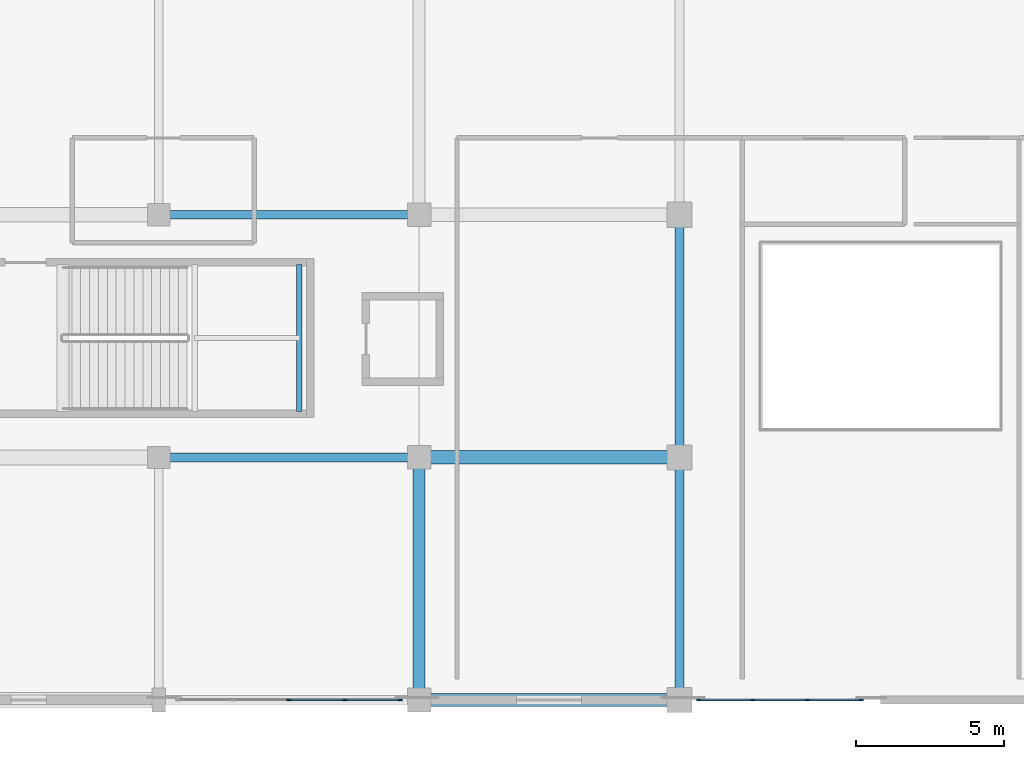
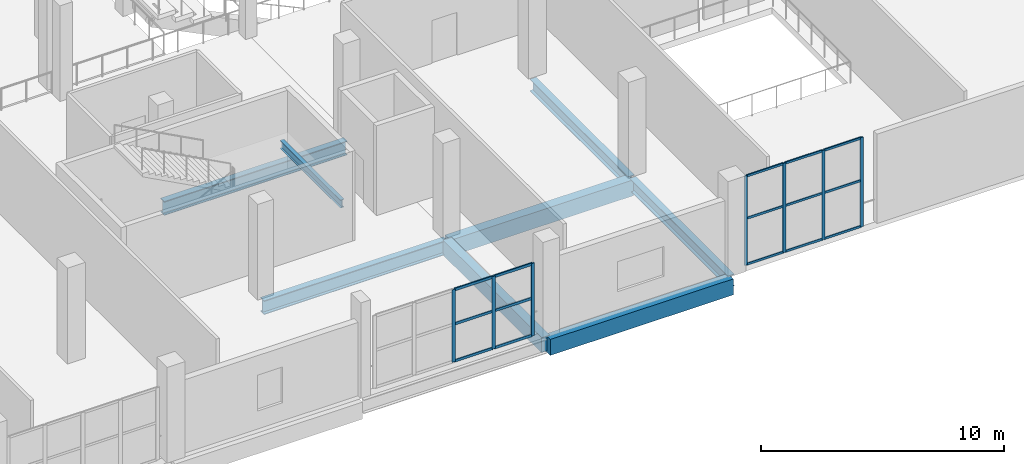
# One storey, part 22 of 129: 22 members, 8 beams, 2 elements without a shape of their own.
"""IFC4 building model written with IfcOpenShell, lengths in metres."""

import ifcopenshell
import ifcopenshell.guid

model = None  # the IFC model being written
_history = None  # IfcOwnerHistory: only IFC2X3 demands one
_inside = {}  # id of a spatial element -> (the spatial element, [elements in it])
_under = {}  # id of a project, library or spatial element -> (it, [spatial elements below it])
_declared = {}  # id of a project -> (the project, [libraries it declares])
_typed = {}  # id of a type object -> (the type object, [elements of that type])
_made_of = {}  # id of a material, layer set ... -> (it, [elements and type objects made of it])


def new_model(schema):
    """Start an empty IFC model of exactly this schema.

    Asked for "IFC4X3", IfcOpenShell would pick the latest addendum, in which some entities
    have other attributes; the version numbers below select the first issue.
    IFC2X3 requires an IfcOwnerHistory on every rooted entity: one is made here for all.
    """
    global model, _history
    if schema == "IFC4X3":
        model = ifcopenshell.file(schema_version=(4, 3, 0, 0))
    else:
        model = ifcopenshell.file(schema=schema)
    _inside.clear()
    _under.clear()
    _declared.clear()
    _typed.clear()
    _made_of.clear()
    _history = None
    if model.schema == "IFC2X3":
        org = make("IfcOrganization", Name="unknown")
        user = make(
            "IfcPersonAndOrganization",
            ThePerson=make("IfcPerson", FamilyName="unknown"),
            TheOrganization=org,
        )
        app = make(
            "IfcApplication",
            ApplicationDeveloper=org,
            Version="unknown",
            ApplicationFullName="unknown",
            ApplicationIdentifier="unknown",
        )
        _history = make(
            "IfcOwnerHistory",
            OwningUser=user,
            OwningApplication=app,
            ChangeAction="ADDED",
            CreationDate=0,
        )
    return model


def make(cls, **values):
    """One entity of the class cls with the attributes given. An attribute that is None is left unset."""
    return model.create_entity(
        cls, **{name: value for name, value in values.items() if value is not None}
    )


def rooted(cls, **values):
    """An entity with a GlobalId (a new one), such as an element, a storey or a relation."""
    return make(cls, GlobalId=ifcopenshell.guid.new(), OwnerHistory=_history, **values)


def si_unit(unit_type, name, prefix=None):
    """IfcSIUnit, for example si_unit("LENGTHUNIT", "METRE", prefix="MILLI")."""
    return make("IfcSIUnit", UnitType=unit_type, Prefix=prefix, Name=name)


def assignment(units):
    """IfcUnitAssignment: the units of a project."""
    return None if units is None else make("IfcUnitAssignment", Units=units)


def point(xyz):
    """IfcCartesianPoint."""
    return None if xyz is None else make("IfcCartesianPoint", Coordinates=xyz)


def direction(xyz):
    """IfcDirection."""
    return None if xyz is None else make("IfcDirection", DirectionRatios=xyz)


def frame(location, z_axis=None, x_axis=None):
    """IfcAxis2Placement3D, a coordinate frame: its origin and axes. An axis left out is left unset."""
    return make(
        "IfcAxis2Placement3D",
        Location=point(location),
        Axis=direction(z_axis),
        RefDirection=direction(x_axis),
    )


def frame_2d(location, x_axis=None):
    """IfcAxis2Placement2D, a coordinate frame in the plane: its origin and x axis."""
    return make(
        "IfcAxis2Placement2D", Location=point(location), RefDirection=direction(x_axis)
    )


def origin():
    """The frame at (0, 0, 0) with its axes left unset."""
    return frame((0.0, 0.0, 0.0))


def origin_2d():
    """The frame at (0, 0) in the plane with its x axis left unset."""
    return frame_2d((0.0, 0.0))


def place(relative_to, where):
    """IfcLocalPlacement: puts the frame where relative to a parent placement (None: the world)."""
    return make(
        "IfcLocalPlacement", PlacementRelTo=relative_to, RelativePlacement=where
    )


def context(
    kind, dimensions, precision=None, world=None, true_north=None, identifier=None
):
    """IfcGeometricRepresentationContext, for example the 3D "Model" context."""
    return make(
        "IfcGeometricRepresentationContext",
        ContextIdentifier=identifier,
        ContextType=kind,
        CoordinateSpaceDimension=dimensions,
        Precision=precision,
        WorldCoordinateSystem=world,
        TrueNorth=true_north,
    )


def subcontext(parent, identifier, kind, view, scale=None):
    """IfcGeometricRepresentationSubContext, for example "Body" below "Model"."""
    return make(
        "IfcGeometricRepresentationSubContext",
        ContextIdentifier=identifier,
        ContextType=kind,
        ParentContext=parent,
        TargetScale=scale,
        TargetView=view,
    )


def project(units=None, contexts=None):
    """IfcProject with its units and contexts."""
    return rooted(
        "IfcProject",
        Name="project",
        RepresentationContexts=contexts,
        UnitsInContext=assignment(units),
    )


def spatial(cls, under=None, at=None, **own):
    """A site, building, storey or space (cls), placed at a placement, below another one or the project."""
    s = rooted(cls, ObjectPlacement=at, **own)
    if under is not None:
        _under.setdefault(under.id(), (under, []))[1].append(s)
    return s


def profile(cls, at=None, kind="AREA", **sizes):
    """A parametric profile (cls). Its sizes go by their IFC names, for example OverallWidth=200.0."""
    return make(cls, ProfileType=kind, Position=at, **sizes)


def rectangle(**sizes):
    """IfcRectangleProfileDef."""
    return profile("IfcRectangleProfileDef", **sizes)


def i_section(**sizes):
    """IfcIShapeProfileDef."""
    return profile("IfcIShapeProfileDef", **sizes)


def extrude(swept, where, along, depth):
    """IfcExtrudedAreaSolid: the profile swept, set in the frame where, extruded along a direction by depth."""
    return make(
        "IfcExtrudedAreaSolid",
        SweptArea=swept,
        Position=where,
        ExtrudedDirection=direction(along),
        Depth=depth,
    )


def shape(context_of_items, identifier, shape_type, items):
    """IfcShapeRepresentation: the items that make up one representation, for example the "Body"."""
    return make(
        "IfcShapeRepresentation",
        ContextOfItems=context_of_items,
        RepresentationIdentifier=identifier,
        RepresentationType=shape_type,
        Items=items,
    )


def material(Name=None, Category=None):
    """IfcMaterial."""
    return make("IfcMaterial", Name=Name, Category=Category)


def material_profile(
    of_material, cross_section, Name=None, Category=None, Priority=None
):
    """IfcMaterialProfile: a cross section and its material."""
    return make(
        "IfcMaterialProfile",
        Name=Name,
        Material=of_material,
        Profile=cross_section,
        Priority=Priority,
        Category=Category,
    )


def profile_set(profiles, Name=None, composite=None):
    """IfcMaterialProfileSet."""
    return make(
        "IfcMaterialProfileSet",
        Name=Name,
        MaterialProfiles=profiles,
        CompositeProfile=composite,
    )


def made_of(thing, what):
    """Note that an element or type object is made of a material, layer set ...; save() writes the relation."""
    if what is not None:
        _made_of.setdefault(what.id(), (what, []))[1].append(thing)
    return thing


def type_object(cls, material=None, **own):
    """A type object (cls), such as IfcWallType, which elements share."""
    return made_of(rooted(cls, **own), material)


def element(
    cls,
    number,
    at=None,
    inside=None,
    cuts=None,
    type_object=None,
    material=None,
    context=None,
    identifier="Body",
    shape_type=None,
    held_by="IfcProductDefinitionShape",
    body=None,
    shapes=None,
    **own,
):
    """One element of the class cls, such as IfcWall. Its Tag is "e" and its number.

    at: its placement. inside: the storey or other place that contains it. cuts: it is an
    opening in that element (IfcRelVoidsElement). A single representation is given by context,
    identifier, shape_type and body (its items); several are given by shapes. held_by: the class
    of the entity that holds the representations. save() writes the other relations.
    """
    e = rooted(cls, Tag="e%d" % number, ObjectPlacement=at, **own)
    if body is not None:
        shapes = [shape(context, identifier, shape_type, body)]
    if shapes is not None:
        e.Representation = make(held_by, Representations=shapes)
    if inside is not None:
        _inside.setdefault(inside.id(), (inside, []))[1].append(e)
    if cuts is not None:
        rooted(
            "IfcRelVoidsElement", RelatingBuildingElement=cuts, RelatedOpeningElement=e
        )
    if type_object is not None:
        _typed.setdefault(type_object.id(), (type_object, []))[1].append(e)
    return made_of(e, material)


def aggregate(whole, parts):
    """IfcRelAggregates: a whole, such as a stair, and the parts it consists of."""
    return rooted("IfcRelAggregates", RelatingObject=whole, RelatedObjects=parts)


def save(model, path):
    """Write the relations noted so far, then the file.

    IfcRelAggregates (storeys below a building ...), IfcRelContainedInSpatialStructure (elements
    in a storey), IfcRelDefinesByType, IfcRelAssociatesMaterial and IfcRelDeclares: one each for
    every whole, place, type object, material and project.
    """
    for whole, parts in _under.values():
        aggregate(whole, parts)
    for where, things in _inside.values():
        rooted(
            "IfcRelContainedInSpatialStructure",
            RelatedElements=things,
            RelatingStructure=where,
        )
    for kind, things in _typed.values():
        rooted("IfcRelDefinesByType", RelatedObjects=things, RelatingType=kind)
    for what, things in _made_of.values():
        rooted("IfcRelAssociatesMaterial", RelatedObjects=things, RelatingMaterial=what)
    for by, libraries in _declared.values():
        rooted("IfcRelDeclares", RelatingContext=by, RelatedDefinitions=libraries)
    model.write(path)


model = new_model("IFC4")

# Units and contexts
model_context = context("Model", 3, precision=1e-05, world=origin(), true_north=direction((0.0, 1.0)))
body_context = subcontext(model_context, "Body", "Model", "MODEL_VIEW")
ifc_project = project(units=[si_unit("LENGTHUNIT", "METRE"), si_unit("AREAUNIT", "SQUARE_METRE"), si_unit("VOLUMEUNIT", "CUBIC_METRE"), si_unit("PLANEANGLEUNIT", "RADIAN"), si_unit("MASSUNIT", "GRAM", prefix="KILO")], contexts=[model_context])

# Site, building, storey
site_placement = place(None, origin())
site = spatial("IfcSite", under=ifc_project, at=site_placement, CompositionType="ELEMENT")
building_placement = place(site_placement, origin())
building = spatial("IfcBuilding", under=site, at=building_placement, Name="Koshinbarg Plaza Stadium", CompositionType="ELEMENT")
storey_placement = place(building_placement, frame((0.0, 0.0, 5.39990234375)))
storey = spatial("IfcBuildingStorey", under=building, at=storey_placement, Name="L01", CompositionType="ELEMENT", Elevation=5.39990234375)

# Beams
ifc_material_1 = material(Name="Concrete C40/50", Category="concrete")
ifc_material_profile_1 = material_profile(ifc_material_1, rectangle(XDim=0.39990234375, YDim=0.75, at=origin_2d()), Name="RC 400x750")
ifc_profile_set_1 = profile_set([ifc_material_profile_1], Name="Concrete C40/50")
beam_type_1 = type_object("IfcBeamType", Name="BM-RCG-03", PredefinedType="USERDEFINED", material=ifc_profile_set_1)
beam_1_placement = place(storey_placement, frame((72.39990234375, 0.06005859375, -0.69482421875), z_axis=(0.0, 1.0, 0.0), x_axis=(-1.0, 0.0, 0.0)))
element("IfcBeam", 1, at=beam_1_placement, inside=storey, type_object=beam_type_1, Name="L01 Y girder 10/A-B", ObjectType="GIRDER", PredefinedType="USERDEFINED", context=body_context, shape_type="SweptSolid", body=[
    extrude(rectangle(XDim=0.39990234375, YDim=0.75, at=origin_2d()), origin(), (0.0, 0.0, 1.0), 8.079833984375),
])
ifc_material_profile_2 = material_profile(ifc_material_1, rectangle(XDim=0.449951171875, YDim=0.800048828125, at=origin_2d()), Name="RC 450x800")
ifc_profile_set_2 = profile_set([ifc_material_profile_2], Name="Concrete C40/50")
beam_type_2 = type_object("IfcBeamType", Name="BM-RCG-04", PredefinedType="USERDEFINED", material=ifc_profile_set_2)
for number, where, z_axis, x_axis, name in (
    (2, (72.4599609375, 0.0, -0.719970703125), (1.0, 0.0, 0.0), (0.0, 1.0, 0.0), "L01 X girder A/10-11"),
    (3, (72.4599609375, 8.199951171875, -0.719970703125), (1.0, 0.0, 0.0), (0.0, 1.0, 0.0), "L01 X girder B/10-11"),
):
    element("IfcBeam", number, at=place(storey_placement, frame(where, z_axis=z_axis, x_axis=x_axis)), inside=storey, type_object=beam_type_2, Name=name, ObjectType="GIRDER", PredefinedType="USERDEFINED", context=body_context, shape_type="SweptSolid", body=[
        extrude(rectangle(XDim=0.449951171875, YDim=0.800048828125, at=origin_2d()), origin(), (0.0, 0.0, 1.0), 8.679931640625),
    ])
ifc_material_2 = material(Name="Steel S355", Category="steel")
ifc_material_profile_3 = material_profile(ifc_material_2, i_section(OverallWidth=0.179931640625, OverallDepth=0.39990234375, WebThickness=0.008544921875, FlangeThickness=0.013427734375, at=origin_2d()), Name="IPE 400")
ifc_profile_set_3 = profile_set([ifc_material_profile_3], Name="Steel S355")
beam_type_3 = type_object("IfcBeamType", Name="BM-SBM-01", PredefinedType="BEAM", material=ifc_profile_set_3)
beam_2_placement = place(storey_placement, frame((68.35009765625, 9.75, 1.880126953125), z_axis=(0.0, 1.0, 0.0), x_axis=(-1.0, 0.0, 0.0)))
element("IfcBeam", 4, at=beam_2_placement, inside=storey, type_object=beam_type_3, Name="L01 Protected Exit Stair C13 landing trimmer beam 2", PredefinedType="BEAM", context=body_context, shape_type="SweptSolid", body=[
    extrude(i_section(OverallWidth=0.179931640625, OverallDepth=0.39990234375, WebThickness=0.008544921875, FlangeThickness=0.013427734375, at=origin_2d()), origin(), (0.0, 0.0, 1.0), 4.969970703125),
])
ifc_material_profile_4 = material_profile(ifc_material_2, i_section(OverallWidth=0.300048828125, OverallDepth=0.60009765625, WebThickness=0.015380859375, FlangeThickness=0.030029296875, at=origin_2d()), Name="HEB 600")
ifc_profile_set_4 = profile_set([ifc_material_profile_4], Name="Steel S355")
beam_type_4 = type_object("IfcBeamType", Name="BM-SGIR-02", PredefinedType="USERDEFINED", material=ifc_profile_set_4)
beam_3_placement = place(storey_placement, frame((81.199951171875, 0.06005859375, -0.619873046875), z_axis=(0.0, 1.0, 0.0), x_axis=(-1.0, 0.0, 0.0)))
element("IfcBeam", 5, at=beam_3_placement, inside=storey, type_object=beam_type_4, Name="L01 Y girder 11/A-B", ObjectType="GIRDER", PredefinedType="USERDEFINED", context=body_context, shape_type="SweptSolid", body=[
    extrude(i_section(OverallWidth=0.300048828125, OverallDepth=0.60009765625, WebThickness=0.015380859375, FlangeThickness=0.030029296875, at=origin_2d()), origin(), (0.0, 0.0, 1.0), 8.079833984375),
])
beam_4_placement = place(storey_placement, frame((81.199951171875, 8.260009765625, -0.619873046875), z_axis=(0.0, 1.0, 0.0), x_axis=(-1.0, 0.0, 0.0)))
element("IfcBeam", 6, at=beam_4_placement, inside=storey, type_object=beam_type_4, Name="L01 Y girder 11/B-C", ObjectType="GIRDER", PredefinedType="USERDEFINED", context=body_context, shape_type="SweptSolid", body=[
    extrude(i_section(OverallWidth=0.300048828125, OverallDepth=0.60009765625, WebThickness=0.015380859375, FlangeThickness=0.030029296875, at=origin_2d()), origin(), (0.0, 0.0, 1.0), 8.080078125),
])
ifc_material_profile_5 = material_profile(ifc_material_2, i_section(OverallWidth=0.300048828125, OverallDepth=0.699951171875, WebThickness=0.01708984375, FlangeThickness=0.031982421875, at=origin_2d()), Name="HEB 700")
ifc_profile_set_5 = profile_set([ifc_material_profile_5], Name="Steel S355")
beam_type_5 = type_object("IfcBeamType", Name="BM-SGIR-03", PredefinedType="USERDEFINED", material=ifc_profile_set_5)
for number, where, z_axis, x_axis, name in (
    (7, (63.659912109375, 8.199951171875, -0.669921875), (1.0, 0.0, 0.0), (0.0, 1.0, 0.0), "L01 X girder B/9-10"),
    (8, (63.659912109375, 16.39990234375, -0.669921875), (1.0, 0.0, 0.0), (0.0, 1.0, 0.0), "L01 X girder C/9-10"),
):
    element("IfcBeam", number, at=place(storey_placement, frame(where, z_axis=z_axis, x_axis=x_axis)), inside=storey, type_object=beam_type_5, Name=name, ObjectType="GIRDER", PredefinedType="USERDEFINED", context=body_context, shape_type="SweptSolid", body=[
        extrude(i_section(OverallWidth=0.300048828125, OverallDepth=0.699951171875, WebThickness=0.01708984375, FlangeThickness=0.031982421875, at=origin_2d()), origin(), (0.0, 0.0, 1.0), 8.68017578125),
    ])

# Curtain wall, members
ifc_material_3 = material(Name="Thermally broken anodised aluminium and low-E double glazing", Category="aluminium")
curtain_wall_type_1 = type_object("IfcCurtainWallType", Name="CW-SYS-01", PredefinedType="NOTDEFINED", material=ifc_material_3)
curtain_wall_1_placement = place(storey_placement, origin())
curtain_wall_1 = element("IfcCurtainWall", 9, at=curtain_wall_1_placement, inside=storey, type_object=curtain_wall_type_1, Name="L01 unitised curtain wall CW-L01-032", PredefinedType="NOTDEFINED")
ifc_material_4 = material(Name="Anodised aluminium mullion", Category="aluminium")
ifc_material_profile_6 = material_profile(ifc_material_4, rectangle(XDim=0.06005859375, YDim=0.139892578125, at=origin_2d()), Name="ALU 60x140")
ifc_profile_set_6 = profile_set([ifc_material_profile_6], Name="Anodised aluminium mullion")
member_type_1 = type_object("IfcMemberType", Name="CW-MUL-01", PredefinedType="MULLION", material=ifc_profile_set_6)
member_1_placement = place(storey_placement, frame((87.35009765625, 0.0, 0.0), z_axis=(0.0, 0.0, 1.0), x_axis=(0.0, -1.0, 0.0)))
member_1 = element("IfcMember", 10, at=member_1_placement, type_object=member_type_1, Name="CW01 mullion 1", PredefinedType="MULLION", context=body_context, shape_type="SweptSolid", body=[
    extrude(rectangle(XDim=0.06005859375, YDim=0.139892578125, at=origin_2d()), origin(), (0.0, 0.0, 1.0), 4.47998046875),
])
member_2_placement = place(storey_placement, frame((85.526611328125, 0.0, 0.0), z_axis=(0.0, 0.0, 1.0), x_axis=(0.0, -1.0, 0.0)))
member_2 = element("IfcMember", 11, at=member_2_placement, type_object=member_type_1, Name="CW01 mullion 2", PredefinedType="MULLION", context=body_context, shape_type="SweptSolid", body=[
    extrude(rectangle(XDim=0.06005859375, YDim=0.139892578125, at=origin_2d()), origin(), (0.0, 0.0, 1.0), 4.47998046875),
])
member_3_placement = place(storey_placement, frame((83.67333984375, 0.0, 0.0), z_axis=(0.0, 0.0, 1.0), x_axis=(0.0, -1.0, 0.0)))
member_3 = element("IfcMember", 12, at=member_3_placement, type_object=member_type_1, Name="CW01 mullion 3", PredefinedType="MULLION", context=body_context, shape_type="SweptSolid", body=[
    extrude(rectangle(XDim=0.06005859375, YDim=0.139892578125, at=origin_2d()), origin(), (0.0, 0.0, 1.0), 4.47998046875),
])
member_4_placement = place(storey_placement, frame((81.85009765625, 0.0, 0.0), z_axis=(0.0, 0.0, 1.0), x_axis=(0.0, -1.0, 0.0)))
member_4 = element("IfcMember", 13, at=member_4_placement, type_object=member_type_1, Name="CW01 mullion 4", PredefinedType="MULLION", context=body_context, shape_type="SweptSolid", body=[
    extrude(rectangle(XDim=0.06005859375, YDim=0.139892578125, at=origin_2d()), origin(), (0.0, 0.0, 1.0), 4.47998046875),
])

curtain_wall_type_2 = type_object("IfcCurtainWallType", Name="CW-SYS-02", PredefinedType="NOTDEFINED", material=ifc_material_3)
curtain_wall_2_placement = place(storey_placement, origin())
curtain_wall_2 = element("IfcCurtainWall", 14, at=curtain_wall_2_placement, inside=storey, type_object=curtain_wall_type_2, Name="L01 unitised curtain wall CW-L01-033", PredefinedType="NOTDEFINED")
ifc_material_profile_7 = material_profile(ifc_material_4, rectangle(XDim=0.06005859375, YDim=0.159912109375, at=origin_2d()), Name="ALU 60x160")
ifc_profile_set_7 = profile_set([ifc_material_profile_7], Name="Anodised aluminium mullion")
member_type_2 = type_object("IfcMemberType", Name="CW-MUL-02", PredefinedType="MULLION", material=ifc_profile_set_7)
member_5_placement = place(storey_placement, frame((71.75, 0.0, 0.0), z_axis=(0.0, 0.0, 1.0), x_axis=(0.0, -1.0, 0.0)))
member_5 = element("IfcMember", 15, at=member_5_placement, type_object=member_type_2, Name="CW02 mullion 1", PredefinedType="MULLION", context=body_context, shape_type="SweptSolid", body=[
    extrude(rectangle(XDim=0.06005859375, YDim=0.159912109375, at=origin_2d()), origin(), (0.0, 0.0, 1.0), 3.630126953125),
])
member_6_placement = place(storey_placement, frame((69.889892578125, 0.0, 0.0), z_axis=(0.0, 0.0, 1.0), x_axis=(0.0, -1.0, 0.0)))
member_6 = element("IfcMember", 16, at=member_6_placement, type_object=member_type_2, Name="CW02 mullion 2", PredefinedType="MULLION", context=body_context, shape_type="SweptSolid", body=[
    extrude(rectangle(XDim=0.06005859375, YDim=0.159912109375, at=origin_2d()), origin(), (0.0, 0.0, 1.0), 3.630126953125),
])
member_7_placement = place(storey_placement, frame((68.0, 0.0, 0.0), z_axis=(0.0, 0.0, 1.0), x_axis=(0.0, -1.0, 0.0)))
member_7 = element("IfcMember", 17, at=member_7_placement, type_object=member_type_2, Name="CW02 mullion 3", PredefinedType="MULLION", context=body_context, shape_type="SweptSolid", body=[
    extrude(rectangle(XDim=0.06005859375, YDim=0.159912109375, at=origin_2d()), origin(), (0.0, 0.0, 1.0), 3.630126953125),
])

# Member
ifc_material_5 = material(Name="Anodised aluminium transom", Category="aluminium")
ifc_material_profile_8 = material_profile(ifc_material_5, rectangle(XDim=0.06005859375, YDim=0.110107421875, at=origin_2d()), Name="ALU 60x110")
ifc_profile_set_8 = profile_set([ifc_material_profile_8], Name="Anodised aluminium transom")
member_type_3 = type_object("IfcMemberType", Name="CW-TRN-01", PredefinedType="USERDEFINED", material=ifc_profile_set_8)
member_8_placement = place(storey_placement, frame((87.320068359375, 0.0, 0.030029296875), z_axis=(-1.0, 0.0, 0.0), x_axis=(0.0, -1.0, 0.0)))
member_8 = element("IfcMember", 18, at=member_8_placement, type_object=member_type_3, Name="CW01 transom 1.1", ObjectType="TRANSOM", PredefinedType="USERDEFINED", context=body_context, shape_type="SweptSolid", body=[
    extrude(rectangle(XDim=0.06005859375, YDim=0.110107421875, at=origin_2d()), origin(), (0.0, 0.0, 1.0), 1.763427734375),
])

member_9_placement = place(storey_placement, frame((87.320068359375, 0.0, 2.32958984375), z_axis=(-1.0, 0.0, 0.0), x_axis=(0.0, -1.0, 0.0)))
member_9 = element("IfcMember", 19, at=member_9_placement, type_object=member_type_3, Name="CW01 transom 1.2", ObjectType="TRANSOM", PredefinedType="USERDEFINED", context=body_context, shape_type="SweptSolid", body=[
    extrude(rectangle(XDim=0.06005859375, YDim=0.110107421875, at=origin_2d()), origin(), (0.0, 0.0, 1.0), 1.763427734375),
])

member_10_placement = place(storey_placement, frame((87.320068359375, 0.0, 4.4501953125), z_axis=(-1.0, 0.0, 0.0), x_axis=(0.0, -1.0, 0.0)))
member_10 = element("IfcMember", 20, at=member_10_placement, type_object=member_type_3, Name="CW01 transom 1.3", ObjectType="TRANSOM", PredefinedType="USERDEFINED", context=body_context, shape_type="SweptSolid", body=[
    extrude(rectangle(XDim=0.06005859375, YDim=0.110107421875, at=origin_2d()), origin(), (0.0, 0.0, 1.0), 1.763427734375),
])

member_11_placement = place(storey_placement, frame((85.49658203125, 0.0, 0.030029296875), z_axis=(-1.0, 0.0, 0.0), x_axis=(0.0, -1.0, 0.0)))
member_11 = element("IfcMember", 21, at=member_11_placement, type_object=member_type_3, Name="CW01 transom 2.1", ObjectType="TRANSOM", PredefinedType="USERDEFINED", context=body_context, shape_type="SweptSolid", body=[
    extrude(rectangle(XDim=0.06005859375, YDim=0.110107421875, at=origin_2d()), origin(), (0.0, 0.0, 1.0), 1.793212890625),
])

member_12_placement = place(storey_placement, frame((85.49658203125, 0.0, 2.32958984375), z_axis=(-1.0, 0.0, 0.0), x_axis=(0.0, -1.0, 0.0)))
member_12 = element("IfcMember", 22, at=member_12_placement, type_object=member_type_3, Name="CW01 transom 2.2", ObjectType="TRANSOM", PredefinedType="USERDEFINED", context=body_context, shape_type="SweptSolid", body=[
    extrude(rectangle(XDim=0.06005859375, YDim=0.110107421875, at=origin_2d()), origin(), (0.0, 0.0, 1.0), 1.793212890625),
])

member_13_placement = place(storey_placement, frame((85.49658203125, 0.0, 4.4501953125), z_axis=(-1.0, 0.0, 0.0), x_axis=(0.0, -1.0, 0.0)))
member_13 = element("IfcMember", 23, at=member_13_placement, type_object=member_type_3, Name="CW01 transom 2.3", ObjectType="TRANSOM", PredefinedType="USERDEFINED", context=body_context, shape_type="SweptSolid", body=[
    extrude(rectangle(XDim=0.06005859375, YDim=0.110107421875, at=origin_2d()), origin(), (0.0, 0.0, 1.0), 1.793212890625),
])

member_14_placement = place(storey_placement, frame((83.643310546875, 0.0, 0.030029296875), z_axis=(-1.0, 0.0, 0.0), x_axis=(0.0, -1.0, 0.0)))
member_14 = element("IfcMember", 24, at=member_14_placement, type_object=member_type_3, Name="CW01 transom 3.1", ObjectType="TRANSOM", PredefinedType="USERDEFINED", context=body_context, shape_type="SweptSolid", body=[
    extrude(rectangle(XDim=0.06005859375, YDim=0.110107421875, at=origin_2d()), origin(), (0.0, 0.0, 1.0), 1.763427734375),
])

member_15_placement = place(storey_placement, frame((83.643310546875, 0.0, 2.32958984375), z_axis=(-1.0, 0.0, 0.0), x_axis=(0.0, -1.0, 0.0)))
member_15 = element("IfcMember", 25, at=member_15_placement, type_object=member_type_3, Name="CW01 transom 3.2", ObjectType="TRANSOM", PredefinedType="USERDEFINED", context=body_context, shape_type="SweptSolid", body=[
    extrude(rectangle(XDim=0.06005859375, YDim=0.110107421875, at=origin_2d()), origin(), (0.0, 0.0, 1.0), 1.763427734375),
])

member_16_placement = place(storey_placement, frame((83.643310546875, 0.0, 4.4501953125), z_axis=(-1.0, 0.0, 0.0), x_axis=(0.0, -1.0, 0.0)))
member_16 = element("IfcMember", 26, at=member_16_placement, type_object=member_type_3, Name="CW01 transom 3.3", ObjectType="TRANSOM", PredefinedType="USERDEFINED", context=body_context, shape_type="SweptSolid", body=[
    extrude(rectangle(XDim=0.06005859375, YDim=0.110107421875, at=origin_2d()), origin(), (0.0, 0.0, 1.0), 1.763427734375),
])

aggregate(curtain_wall_1, [member_1, member_2, member_3, member_4, member_8, member_9, member_10, member_11, member_12, member_13, member_14, member_15, member_16])

ifc_material_profile_9 = material_profile(ifc_material_5, rectangle(XDim=0.06005859375, YDim=0.1298828125, at=origin_2d()), Name="ALU 60x130")
ifc_profile_set_9 = profile_set([ifc_material_profile_9], Name="Anodised aluminium transom")
member_type_4 = type_object("IfcMemberType", Name="CW-TRN-02", PredefinedType="USERDEFINED", material=ifc_profile_set_9)
member_17_placement = place(storey_placement, frame((71.719970703125, 0.0, 0.030029296875), z_axis=(-1.0, 0.0, 0.0), x_axis=(0.0, -1.0, 0.0)))
member_17 = element("IfcMember", 27, at=member_17_placement, type_object=member_type_4, Name="CW02 transom 1.1", ObjectType="TRANSOM", PredefinedType="USERDEFINED", context=body_context, shape_type="SweptSolid", body=[
    extrude(rectangle(XDim=0.06005859375, YDim=0.1298828125, at=origin_2d()), origin(), (0.0, 0.0, 1.0), 1.800048828125),
])

member_18_placement = place(storey_placement, frame((71.719970703125, 0.0, 1.8876953125), z_axis=(-1.0, 0.0, 0.0), x_axis=(0.0, -1.0, 0.0)))
member_18 = element("IfcMember", 28, at=member_18_placement, type_object=member_type_4, Name="CW02 transom 1.2", ObjectType="TRANSOM", PredefinedType="USERDEFINED", context=body_context, shape_type="SweptSolid", body=[
    extrude(rectangle(XDim=0.06005859375, YDim=0.1298828125, at=origin_2d()), origin(), (0.0, 0.0, 1.0), 1.800048828125),
])

member_19_placement = place(storey_placement, frame((71.719970703125, 0.0, 3.60009765625), z_axis=(-1.0, 0.0, 0.0), x_axis=(0.0, -1.0, 0.0)))
member_19 = element("IfcMember", 29, at=member_19_placement, type_object=member_type_4, Name="CW02 transom 1.3", ObjectType="TRANSOM", PredefinedType="USERDEFINED", context=body_context, shape_type="SweptSolid", body=[
    extrude(rectangle(XDim=0.06005859375, YDim=0.1298828125, at=origin_2d()), origin(), (0.0, 0.0, 1.0), 1.800048828125),
])

member_20_placement = place(storey_placement, frame((69.860107421875, 0.0, 0.030029296875), z_axis=(-1.0, 0.0, 0.0), x_axis=(0.0, -1.0, 0.0)))
member_20 = element("IfcMember", 30, at=member_20_placement, type_object=member_type_4, Name="CW02 transom 2.1", ObjectType="TRANSOM", PredefinedType="USERDEFINED", context=body_context, shape_type="SweptSolid", body=[
    extrude(rectangle(XDim=0.06005859375, YDim=0.1298828125, at=origin_2d()), origin(), (0.0, 0.0, 1.0), 1.830078125),
])

member_21_placement = place(storey_placement, frame((69.860107421875, 0.0, 1.8876953125), z_axis=(-1.0, 0.0, 0.0), x_axis=(0.0, -1.0, 0.0)))
member_21 = element("IfcMember", 31, at=member_21_placement, type_object=member_type_4, Name="CW02 transom 2.2", ObjectType="TRANSOM", PredefinedType="USERDEFINED", context=body_context, shape_type="SweptSolid", body=[
    extrude(rectangle(XDim=0.06005859375, YDim=0.1298828125, at=origin_2d()), origin(), (0.0, 0.0, 1.0), 1.830078125),
])

member_22_placement = place(storey_placement, frame((69.860107421875, 0.0, 3.60009765625), z_axis=(-1.0, 0.0, 0.0), x_axis=(0.0, -1.0, 0.0)))
member_22 = element("IfcMember", 32, at=member_22_placement, type_object=member_type_4, Name="CW02 transom 2.3", ObjectType="TRANSOM", PredefinedType="USERDEFINED", context=body_context, shape_type="SweptSolid", body=[
    extrude(rectangle(XDim=0.06005859375, YDim=0.1298828125, at=origin_2d()), origin(), (0.0, 0.0, 1.0), 1.830078125),
])

aggregate(curtain_wall_2, [member_5, member_6, member_7, member_17, member_18, member_19, member_20, member_21, member_22])

save(model, "model.ifc")
